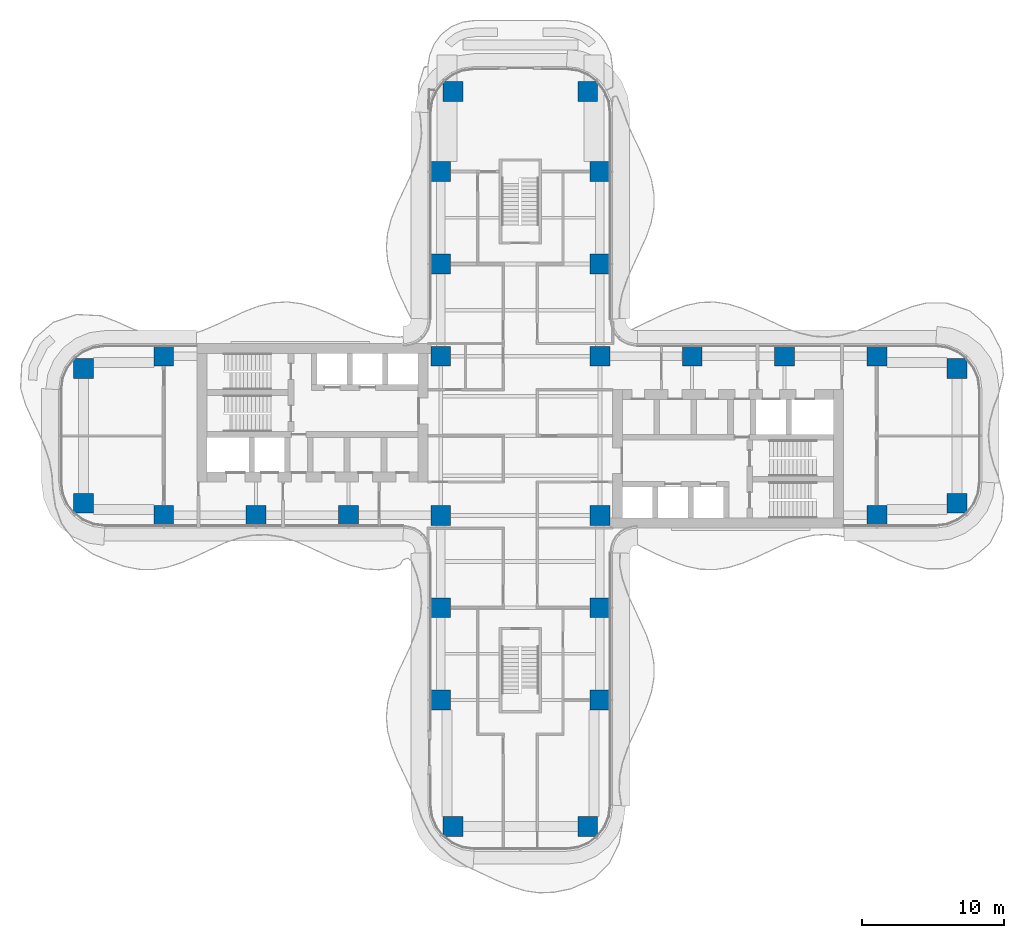
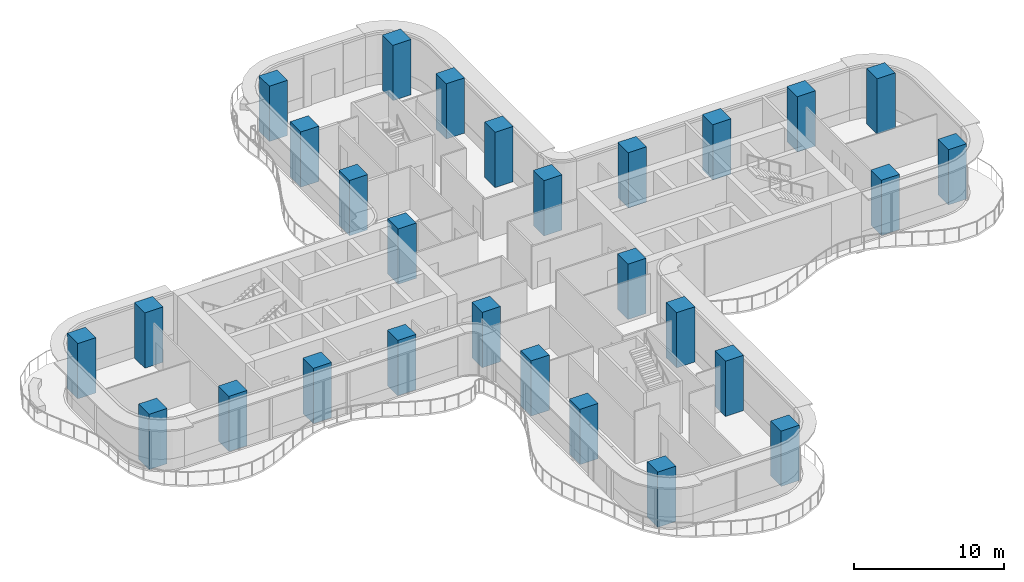
# One storey, part 1 of 22: 28 columns.
"""IFC4 building model written with IfcOpenShell, lengths in metres."""

from ifc_helpers import new_model, si_unit, direction, frame, origin, origin_2d, place, context, subcontext, project, spatial, rectangle, extrude, source, transform, mapped, material, material_profile, profile_set, type_object, element, save


model = new_model("IFC4")

# Units and contexts
model_context = context("Model", 3, precision=1e-05, world=origin(), true_north=direction((0.0, 1.0)))
body_context = subcontext(model_context, "Body", "Model", "MODEL_VIEW")
ifc_project = project(units=[si_unit("LENGTHUNIT", "METRE"), si_unit("AREAUNIT", "SQUARE_METRE"), si_unit("VOLUMEUNIT", "CUBIC_METRE"), si_unit("PLANEANGLEUNIT", "RADIAN"), si_unit("MASSUNIT", "GRAM", prefix="KILO")], contexts=[model_context])

# Site, building, storey
site_placement = place(None, origin())
site = spatial("IfcSite", under=ifc_project, at=site_placement, CompositionType="ELEMENT")
building_placement = place(site_placement, origin())
building = spatial("IfcBuilding", under=site, at=building_placement, Name="Trellis Farm Tower", CompositionType="ELEMENT")
storey_placement = place(building_placement, frame((0.0, 0.0, 61.0)))
storey = spatial("IfcBuildingStorey", under=building, at=storey_placement, Name="L12", CompositionType="ELEMENT", Elevation=61.0)

# Columns
ifc_material = material(Name="Concrete C80/95", Category="concrete")
ifc_material_profile = material_profile(ifc_material, rectangle(XDim=1.39990234375, YDim=1.39990234375, at=origin_2d()), Name="RC column 1400x1400 C80/95")
ifc_profile_set = profile_set([ifc_material_profile], Name="Concrete C80/95")
column_type = type_object("IfcColumnType", Name="RC column 1400x1400 C80/95", PredefinedType="COLUMN", material=ifc_profile_set)
shared_shape = source(origin(), body_context, "Body", "SweptSolid", [
    extrude(rectangle(XDim=1.39990234375, YDim=1.39990234375, at=origin_2d()), origin(), (0.0, 0.0, 1.0), 4.5),
])
for number, where, z_axis, x_axis, name in (
    (1, (12.10009765625, 5.60009765625, 0.0), (0.0, 0.0, 1.0), (1.0, 0.0, 0.0), "Column"),
    (2, (18.60009765625, 5.60009765625, 0.0), (0.0, 0.0, 1.0), (1.0, 0.0, 0.0), "Column"),
    (3, (25.10009765625, 5.60009765625, 0.0), (0.0, 0.0, 1.0), (1.0, 0.0, 0.0), "Column"),
    (4, (30.75, 4.75, 0.0), (0.0, 0.0, 1.0), (1.0, 0.0, 0.0), "Column"),
    (5, (25.10009765625, -5.60009765625, 0.0), (0.0, 0.0, 1.0), (1.0, 0.0, 0.0), "Column"),
    (6, (30.75, -4.75, 0.0), (0.0, 0.0, 1.0), (1.0, 0.0, 0.0), "Column"),
    (7, (-5.60009765625, 12.10009765625, 0.0), (0.0, 0.0, 1.0), (1.0, 0.0, 0.0), "Column"),
    (8, (-5.60009765625, 18.60009765625, 0.0), (0.0, 0.0, 1.0), (1.0, 0.0, 0.0), "Column"),
    (9, (-4.75, 24.25, 0.0), (0.0, 0.0, 1.0), (1.0, 0.0, 0.0), "Column"),
    (10, (5.60009765625, 12.10009765625, 0.0), (0.0, 0.0, 1.0), (1.0, 0.0, 0.0), "Column"),
    (11, (5.60009765625, 18.60009765625, 0.0), (0.0, 0.0, 1.0), (1.0, 0.0, 0.0), "Column"),
    (12, (4.75, 24.25, 0.0), (0.0, 0.0, 1.0), (1.0, 0.0, 0.0), "Column"),
    (13, (5.60009765625, 5.60009765625, 0.0), (0.0, 0.0, 1.0), (1.0, 0.0, 0.0), "Column"),
    (14, (-5.60009765625, 5.60009765625, 0.0), (0.0, 0.0, 1.0), (1.0, 0.0, 0.0), "Column"),
    (15, (5.60009765625, -5.60009765625, 0.0), (0.0, 0.0, 1.0), (1.0, 0.0, 0.0), "Column"),
    (16, (-5.60009765625, -5.60009765625, 0.0), (0.0, 0.0, 1.0), (1.0, 0.0, 0.0), "Column"),
    (17, (5.60009765625, -12.10009765625, 0.0), (0.0, 0.0, 1.0), (1.0, 0.0, 0.0), "Column"),
    (18, (5.60009765625, -18.60009765625, 0.0), (0.0, 0.0, 1.0), (1.0, 0.0, 0.0), "Column"),
    (19, (4.75, -27.5, 0.0), (0.0, 0.0, 1.0), (1.0, 0.0, 0.0), "Column"),
    (20, (-5.60009765625, -12.10009765625, 0.0), (0.0, 0.0, 1.0), (1.0, 0.0, 0.0), "Column"),
    (21, (-5.60009765625, -18.60009765625, 0.0), (0.0, 0.0, 1.0), (1.0, 0.0, 0.0), "Column"),
    (22, (-4.75, -27.5, 0.0), (0.0, 0.0, 1.0), (1.0, 0.0, 0.0), "Column"),
    (23, (-12.10009765625, -5.60009765625, 0.0), (0.0, 0.0, 1.0), (1.0, 0.0, 0.0), "Column"),
    (24, (-18.60009765625, -5.60009765625, 0.0), (0.0, 0.0, 1.0), (1.0, 0.0, 0.0), "Column"),
    (25, (-25.10009765625, -5.60009765625, 0.0), (0.0, 0.0, 1.0), (1.0, 0.0, 0.0), "Column"),
    (26, (-30.75, -4.75, 0.0), (0.0, 0.0, 1.0), (1.0, 0.0, 0.0), "Column"),
    (27, (-25.10009765625, 5.60009765625, 0.0), (0.0, 0.0, 1.0), (1.0, 0.0, 0.0), "Column"),
    (28, (-30.75, 4.75, 0.0), (0.0, 0.0, 1.0), (1.0, 0.0, 0.0), "Column"),
):
    element("IfcColumn", number, at=place(storey_placement, frame(where, z_axis=z_axis, x_axis=x_axis)), inside=storey, type_object=column_type, Name=name, PredefinedType="COLUMN", context=body_context, shape_type="MappedRepresentation", body=[
        mapped(shared_shape, transform((0.0, 0.0, 0.0))),
    ])

save(model, "model.ifc")
